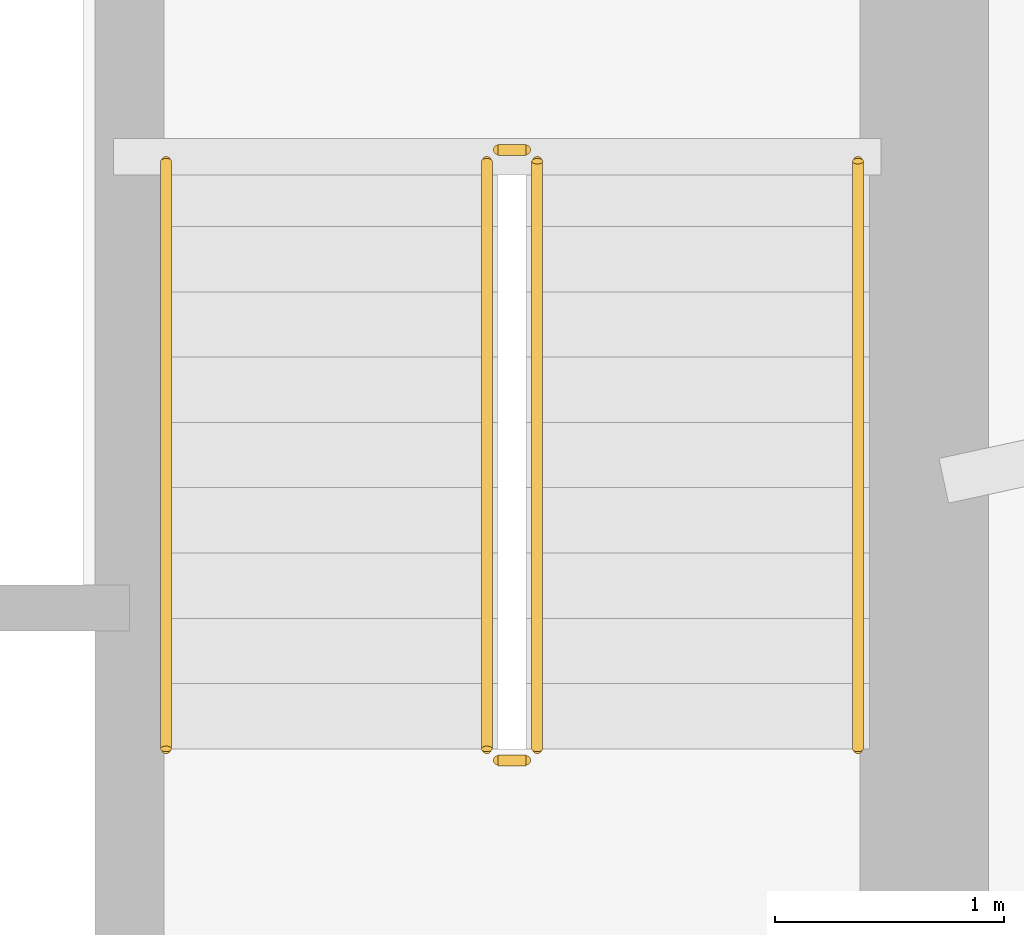
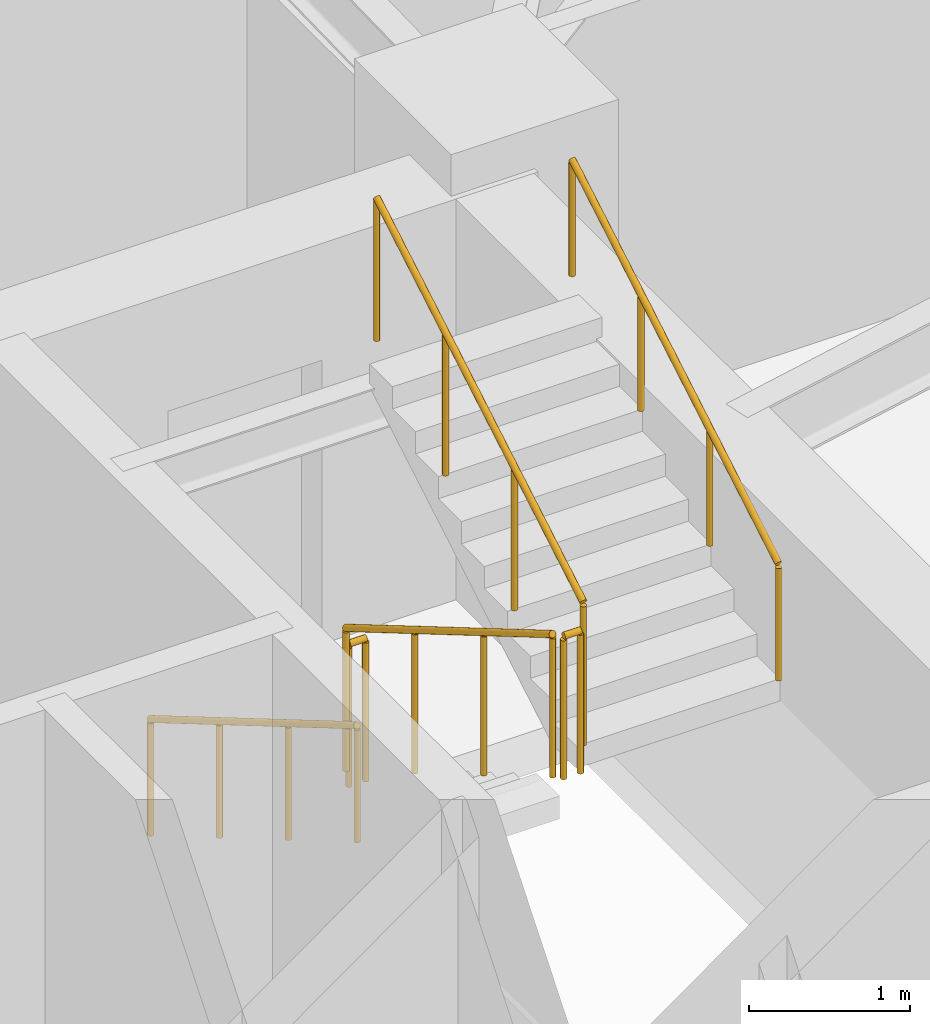
# One storey, part 21 of 21: 6 railings.
"""IFC4 building model written with IfcOpenShell, lengths in metres."""

from ifc_helpers import new_model, si_unit, direction, frame, origin, origin_2d, place, context, subcontext, project, spatial, circle, extrude, material, type_object, element, save


model = new_model("IFC4")

# Units and contexts
model_context = context("Model", 3, precision=1e-05, world=origin(), true_north=direction((0.0, 1.0)))
body_context = subcontext(model_context, "Body", "Model", "MODEL_VIEW")
ifc_project = project(units=[si_unit("LENGTHUNIT", "METRE"), si_unit("AREAUNIT", "SQUARE_METRE"), si_unit("VOLUMEUNIT", "CUBIC_METRE"), si_unit("PLANEANGLEUNIT", "RADIAN"), si_unit("MASSUNIT", "GRAM", prefix="KILO")], contexts=[model_context])

# Site, building, storey
site_placement = place(None, origin())
site = spatial("IfcSite", under=ifc_project, at=site_placement, CompositionType="ELEMENT")
building_placement = place(site_placement, origin())
building = spatial("IfcBuilding", under=site, at=building_placement, Name="Qobustan Lattice House", CompositionType="ELEMENT")
storey_placement = place(building_placement, frame((0.0, 0.0, 37.050048828125)))
storey = spatial("IfcBuildingStorey", under=building, at=storey_placement, Name="L09", CompositionType="ELEMENT", Elevation=37.050048828125)

# Railings
ifc_material_1 = material(Name="Brushed stainless steel handrail", Category="steel")
railing_type_1 = type_object("IfcRailingType", Name="RAL-HR-920", PredefinedType="HANDRAIL", material=ifc_material_1)
railing_1_placement = place(storey_placement, frame((15.179931640625, 3.5, 0.16748046875)))
element("IfcRailing", 1, at=railing_1_placement, inside=storey, type_object=railing_type_1, Name="L09 ST-E1 stair handrail 1", PredefinedType="HANDRAIL", context=body_context, shape_type="SweptSolid", body=[
    extrude(circle(Radius=0.02392578125, at=origin_2d()), frame((0.0, 0.0, 0.8759765625), z_axis=(0.0, -0.862113467892, 0.50671527358), x_axis=(1.0, 0.0, 0.0)), (0.0, 0.0, 1.0), 2.97509765625),
    extrude(circle(Radius=0.02099609375, at=origin_2d()), origin(), (0.0, 0.0, 1.0), 0.851806640625),
    extrude(circle(Radius=0.02099609375, at=origin_2d()), frame((0.0, -0.85498046875, 0.50244140625)), (0.0, 0.0, 1.0), 0.851806640625),
    extrude(circle(Radius=0.02099609375, at=origin_2d()), frame((0.0, -1.7099609375, 1.005126953125)), (0.0, 0.0, 1.0), 0.851806640625),
    extrude(circle(Radius=0.02099609375, at=origin_2d()), frame((0.0, -2.56494140625, 1.507568359375)), (0.0, 0.0, 1.0), 0.851806640625),
])
railing_2_placement = place(storey_placement, frame((18.199951171875, 0.93505859375, 1.842529296875)))
element("IfcRailing", 2, at=railing_2_placement, inside=storey, type_object=railing_type_1, Name="L09 ST-E1 stair handrail 2", PredefinedType="HANDRAIL", context=body_context, shape_type="SweptSolid", body=[
    extrude(circle(Radius=0.02392578125, at=origin_2d()), frame((0.0, 0.0, 0.8759765625), z_axis=(0.0, 0.862149314443, 0.506654280161), x_axis=(-1.0, 0.0, 0.0)), (0.0, 0.0, 1.0), 2.97509765625),
    extrude(circle(Radius=0.02099609375, at=origin_2d()), origin(), (0.0, 0.0, 1.0), 0.851806640625),
    extrude(circle(Radius=0.02099609375, at=origin_2d()), frame((0.0, 0.85498046875, 0.50244140625)), (0.0, 0.0, 1.0), 0.851806640625),
    extrude(circle(Radius=0.02099609375, at=origin_2d()), frame((0.0, 1.7099609375, 1.0048828125)), (0.0, 0.0, 1.0), 0.851806640625),
    extrude(circle(Radius=0.02099609375, at=origin_2d()), frame((0.0, 2.56494140625, 1.50732421875)), (0.0, 0.0, 1.0), 0.851806640625),
])
ifc_material_2 = material(Name="Painted galvanized steel guardrail", Category="steel")
railing_type_2 = type_object("IfcRailingType", Name="RAL-STG-1150", PredefinedType="GUARDRAIL", material=ifc_material_2)
railing_3_placement = place(storey_placement, frame((16.580078125, 3.5, 0.16748046875)))
element("IfcRailing", 3, at=railing_3_placement, inside=storey, type_object=railing_type_2, Name="L09 ST-E1 stair guard 1", PredefinedType="GUARDRAIL", context=body_context, shape_type="SweptSolid", body=[
    extrude(circle(Radius=0.02392578125, at=origin_2d()), frame((0.0, 0.0, 1.076171875), z_axis=(0.0, -0.862113467892, 0.50671527358), x_axis=(1.0, 0.0, 0.0)), (0.0, 0.0, 1.0), 2.97509765625),
    extrude(circle(Radius=0.02099609375, at=origin_2d()), origin(), (0.0, 0.0, 1.0), 1.052001953125),
    extrude(circle(Radius=0.02099609375, at=origin_2d()), frame((0.0, -0.85498046875, 0.50244140625)), (0.0, 0.0, 1.0), 1.052001953125),
    extrude(circle(Radius=0.02099609375, at=origin_2d()), frame((0.0, -1.7099609375, 1.005126953125)), (0.0, 0.0, 1.0), 1.052001953125),
    extrude(circle(Radius=0.02099609375, at=origin_2d()), frame((0.0, -2.56494140625, 1.507568359375)), (0.0, 0.0, 1.0), 1.052001953125),
])
railing_4_placement = place(storey_placement, frame((16.6298828125, 0.885009765625, 1.675048828125)))
element("IfcRailing", 4, at=railing_4_placement, inside=storey, type_object=railing_type_2, Name="L09 ST-E1 stair guard 2", PredefinedType="GUARDRAIL", context=body_context, shape_type="SweptSolid", body=[
    extrude(circle(Radius=0.02392578125, at=origin_2d()), frame((0.0, 0.0, 1.076171875), z_axis=(1.0, 0.0, 0.0), x_axis=(0.0, 1.0, 0.0)), (0.0, 0.0, 1.0), 0.1201171875),
    extrude(circle(Radius=0.02099609375, at=origin_2d()), origin(), (0.0, 0.0, 1.0), 1.052001953125),
    extrude(circle(Radius=0.02099609375, at=origin_2d()), frame((0.1201171875, 0.0, 0.0)), (0.0, 0.0, 1.0), 1.052001953125),
])
railing_5_placement = place(storey_placement, frame((16.800048828125, 0.93505859375, 1.842529296875)))
element("IfcRailing", 5, at=railing_5_placement, inside=storey, type_object=railing_type_2, Name="L09 ST-E1 stair guard 3", PredefinedType="GUARDRAIL", context=body_context, shape_type="SweptSolid", body=[
    extrude(circle(Radius=0.02392578125, at=origin_2d()), frame((0.0, 0.0, 1.076171875), z_axis=(0.0, 0.862149314443, 0.506654280161), x_axis=(-1.0, 0.0, 0.0)), (0.0, 0.0, 1.0), 2.97509765625),
    extrude(circle(Radius=0.02099609375, at=origin_2d()), origin(), (0.0, 0.0, 1.0), 1.052001953125),
    extrude(circle(Radius=0.02099609375, at=origin_2d()), frame((0.0, 0.85498046875, 0.50244140625)), (0.0, 0.0, 1.0), 1.052001953125),
    extrude(circle(Radius=0.02099609375, at=origin_2d()), frame((0.0, 1.7099609375, 1.0048828125)), (0.0, 0.0, 1.0), 1.052001953125),
    extrude(circle(Radius=0.02099609375, at=origin_2d()), frame((0.0, 2.56494140625, 1.50732421875)), (0.0, 0.0, 1.0), 1.052001953125),
])
railing_6_placement = place(storey_placement, frame((16.6298828125, 3.550048828125, 0.0)))
element("IfcRailing", 6, at=railing_6_placement, inside=storey, type_object=railing_type_2, Name="L09 ST-E1 stair guard 4", PredefinedType="GUARDRAIL", context=body_context, shape_type="SweptSolid", body=[
    extrude(circle(Radius=0.02392578125, at=origin_2d()), frame((0.0, 0.0, 1.076171875), z_axis=(1.0, 0.0, 0.0), x_axis=(0.0, 1.0, 0.0)), (0.0, 0.0, 1.0), 0.1201171875),
    extrude(circle(Radius=0.02099609375, at=origin_2d()), origin(), (0.0, 0.0, 1.0), 1.052001953125),
    extrude(circle(Radius=0.02099609375, at=origin_2d()), frame((0.1201171875, 0.0, 0.0)), (0.0, 0.0, 1.0), 1.052001953125),
])

save(model, "model.ifc")
